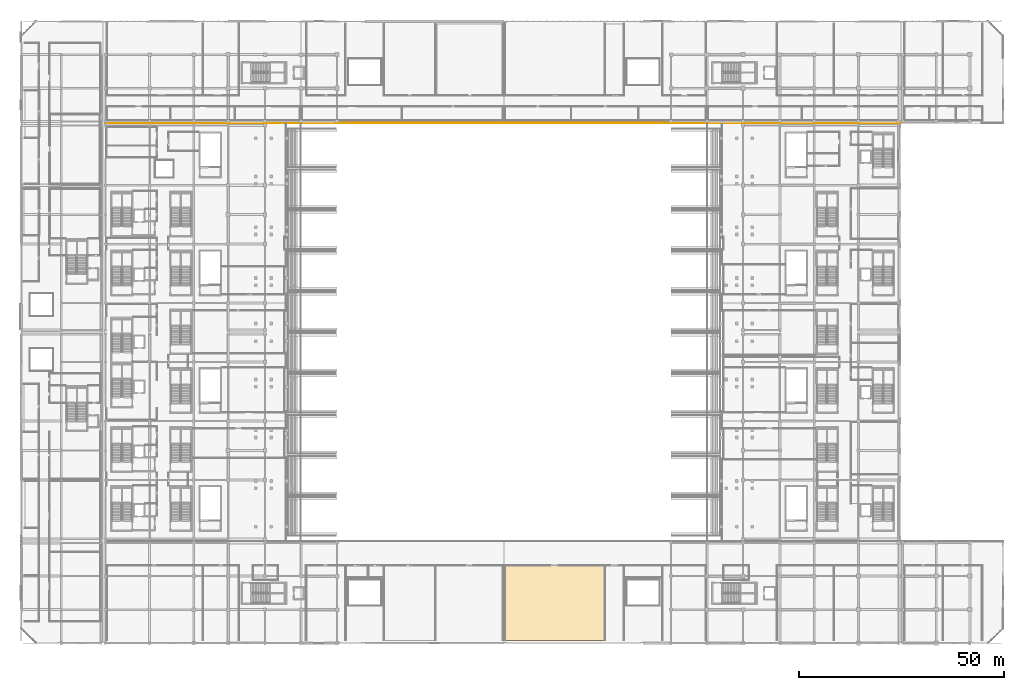
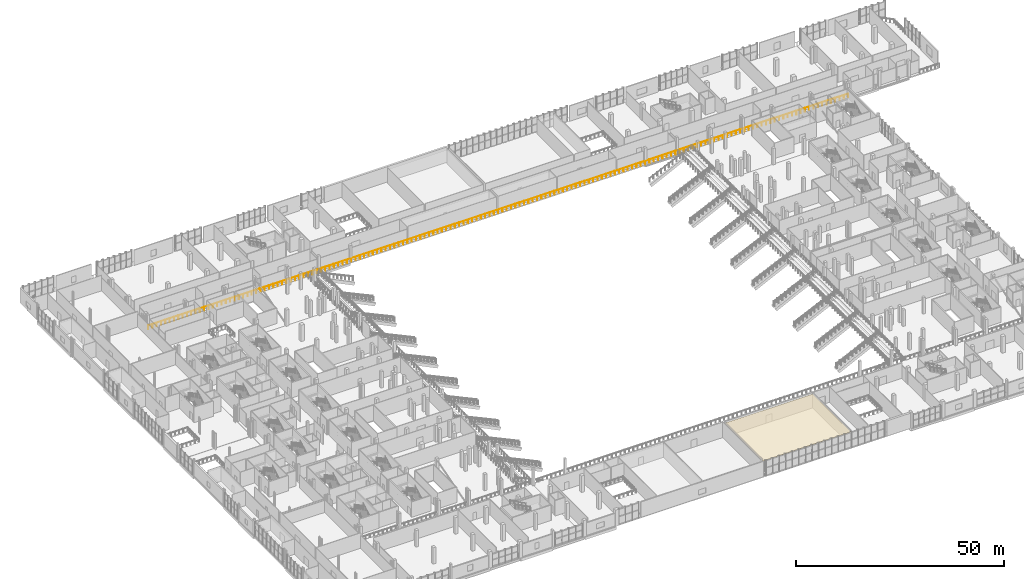
# One storey, part 111 of 129: 1 covering, 1 railing.
"""IFC4 building model written with IfcOpenShell, lengths in metres."""

from ifc_helpers import new_model, si_unit, direction, frame, origin, origin_2d, place, context, subcontext, project, spatial, polyline, circle, outline, extrude, material, layer, layer_set, type_object, element, save


model = new_model("IFC4")

# Units and contexts
model_context = context("Model", 3, precision=1e-05, world=origin(), true_north=direction((0.0, 1.0)))
body_context = subcontext(model_context, "Body", "Model", "MODEL_VIEW")
ifc_project = project(units=[si_unit("LENGTHUNIT", "METRE"), si_unit("AREAUNIT", "SQUARE_METRE"), si_unit("VOLUMEUNIT", "CUBIC_METRE"), si_unit("PLANEANGLEUNIT", "RADIAN"), si_unit("MASSUNIT", "GRAM", prefix="KILO")], contexts=[model_context])

# Site, building, storey
site_placement = place(None, origin())
site = spatial("IfcSite", under=ifc_project, at=site_placement, CompositionType="ELEMENT")
building_placement = place(site_placement, origin())
building = spatial("IfcBuilding", under=site, at=building_placement, Name="Koshinbarg Plaza Stadium", CompositionType="ELEMENT")
storey_placement = place(building_placement, frame((0.0, 0.0, 5.39990234375)))
storey = spatial("IfcBuildingStorey", under=building, at=storey_placement, Name="L01", CompositionType="ELEMENT", Elevation=5.39990234375)

# Covering
ifc_material_1 = material(Name="Perforated gypsum acoustic ceiling board")
ifc_layer = layer(ifc_material_1, 0.030029296875)
ifc_layer_set = layer_set([ifc_layer], Name="Perforated gypsum acoustic ceiling board")
covering_type = type_object("IfcCoveringType", Name="COV-CEIL-01", PredefinedType="CEILING", material=ifc_layer_set)
covering_placement = place(storey_placement, frame((0.0, 0.0, 3.9501953125)))
element("IfcCovering", 1, at=covering_placement, inside=storey, type_object=covering_type, Name="L01 Television Interview Studio acoustic ceiling 015", PredefinedType="CEILING", context=body_context, shape_type="SweptSolid", body=[
    extrude(outline(polyline([(122.27001953125, 0.699951171875), (146.64990234375, 0.699951171875), (146.64990234375, 19.0), (122.27001953125, 19.0), (122.27001953125, 0.699951171875)])), origin(), (0.0, 0.0, 1.0), 0.02978515625),
])

# Railing
ifc_material_2 = material(Name="Toughened laminated glass and stainless steel sightline balustrade", Category="steel")
railing_type = type_object("IfcRailingType", Name="RL-BOWL-1100", PredefinedType="BALUSTRADE", material=ifc_material_2)
railing_placement = place(storey_placement, frame((25.0, 127.1201171875, 0.0)))
element("IfcRailing", 2, at=railing_placement, inside=storey, type_object=railing_type, Name="L01 bowl concourse sightline balustrade 0018", PredefinedType="BALUSTRADE", context=body_context, shape_type="SweptSolid", body=[
    extrude(circle(Radius=0.02392578125, at=origin_2d()), frame((0.0, 0.0, 1.076171875), z_axis=(1.0, 0.0, 0.0), x_axis=(0.0, 1.0, 0.0)), (0.0, 0.0, 1.0), 193.89990234375),
    extrude(circle(Radius=0.02099609375, at=origin_2d()), origin(), (0.0, 0.0, 1.0), 1.052001953125),
    extrude(circle(Radius=0.02099609375, at=origin_2d()), frame((1.197021484375, 0.0, 0.0)), (0.0, 0.0, 1.0), 1.052001953125),
    extrude(circle(Radius=0.02099609375, at=origin_2d()), frame((2.393798828125, 0.0, 0.0)), (0.0, 0.0, 1.0), 1.052001953125),
    extrude(circle(Radius=0.02099609375, at=origin_2d()), frame((3.5908203125, 0.0, 0.0)), (0.0, 0.0, 1.0), 1.052001953125),
    extrude(circle(Radius=0.02099609375, at=origin_2d()), frame((4.78759765625, 0.0, 0.0)), (0.0, 0.0, 1.0), 1.052001953125),
    extrude(circle(Radius=0.02099609375, at=origin_2d()), frame((5.984619140625, 0.0, 0.0)), (0.0, 0.0, 1.0), 1.052001953125),
    extrude(circle(Radius=0.02099609375, at=origin_2d()), frame((7.181396484375, 0.0, 0.0)), (0.0, 0.0, 1.0), 1.052001953125),
    extrude(circle(Radius=0.02099609375, at=origin_2d()), frame((8.37841796875, 0.0, 0.0)), (0.0, 0.0, 1.0), 1.052001953125),
    extrude(circle(Radius=0.02099609375, at=origin_2d()), frame((9.5751953125, 0.0, 0.0)), (0.0, 0.0, 1.0), 1.052001953125),
    extrude(circle(Radius=0.02099609375, at=origin_2d()), frame((10.772216796875, 0.0, 0.0)), (0.0, 0.0, 1.0), 1.052001953125),
    extrude(circle(Radius=0.02099609375, at=origin_2d()), frame((11.96923828125, 0.0, 0.0)), (0.0, 0.0, 1.0), 1.052001953125),
    extrude(circle(Radius=0.02099609375, at=origin_2d()), frame((13.166015625, 0.0, 0.0)), (0.0, 0.0, 1.0), 1.052001953125),
    extrude(circle(Radius=0.02099609375, at=origin_2d()), frame((14.363037109375, 0.0, 0.0)), (0.0, 0.0, 1.0), 1.052001953125),
    extrude(circle(Radius=0.02099609375, at=origin_2d()), frame((15.559814453125, 0.0, 0.0)), (0.0, 0.0, 1.0), 1.052001953125),
    extrude(circle(Radius=0.02099609375, at=origin_2d()), frame((16.7568359375, 0.0, 0.0)), (0.0, 0.0, 1.0), 1.052001953125),
    extrude(circle(Radius=0.02099609375, at=origin_2d()), frame((17.95361328125, 0.0, 0.0)), (0.0, 0.0, 1.0), 1.052001953125),
    extrude(circle(Radius=0.02099609375, at=origin_2d()), frame((19.150634765625, 0.0, 0.0)), (0.0, 0.0, 1.0), 1.052001953125),
    extrude(circle(Radius=0.02099609375, at=origin_2d()), frame((20.347412109375, 0.0, 0.0)), (0.0, 0.0, 1.0), 1.052001953125),
    extrude(circle(Radius=0.02099609375, at=origin_2d()), frame((21.54443359375, 0.0, 0.0)), (0.0, 0.0, 1.0), 1.052001953125),
    extrude(circle(Radius=0.02099609375, at=origin_2d()), frame((22.741455078125, 0.0, 0.0)), (0.0, 0.0, 1.0), 1.052001953125),
    extrude(circle(Radius=0.02099609375, at=origin_2d()), frame((23.938232421875, 0.0, 0.0)), (0.0, 0.0, 1.0), 1.052001953125),
    extrude(circle(Radius=0.02099609375, at=origin_2d()), frame((25.13525390625, 0.0, 0.0)), (0.0, 0.0, 1.0), 1.052001953125),
    extrude(circle(Radius=0.02099609375, at=origin_2d()), frame((26.33203125, 0.0, 0.0)), (0.0, 0.0, 1.0), 1.052001953125),
    extrude(circle(Radius=0.02099609375, at=origin_2d()), frame((27.529052734375, 0.0, 0.0)), (0.0, 0.0, 1.0), 1.052001953125),
    extrude(circle(Radius=0.02099609375, at=origin_2d()), frame((28.725830078125, 0.0, 0.0)), (0.0, 0.0, 1.0), 1.052001953125),
    extrude(circle(Radius=0.02099609375, at=origin_2d()), frame((29.9228515625, 0.0, 0.0)), (0.0, 0.0, 1.0), 1.052001953125),
    extrude(circle(Radius=0.02099609375, at=origin_2d()), frame((31.11962890625, 0.0, 0.0)), (0.0, 0.0, 1.0), 1.052001953125),
    extrude(circle(Radius=0.02099609375, at=origin_2d()), frame((32.316650390625, 0.0, 0.0)), (0.0, 0.0, 1.0), 1.052001953125),
    extrude(circle(Radius=0.02099609375, at=origin_2d()), frame((33.513671875, 0.0, 0.0)), (0.0, 0.0, 1.0), 1.052001953125),
    extrude(circle(Radius=0.02099609375, at=origin_2d()), frame((34.71044921875, 0.0, 0.0)), (0.0, 0.0, 1.0), 1.052001953125),
    extrude(circle(Radius=0.02099609375, at=origin_2d()), frame((35.907470703125, 0.0, 0.0)), (0.0, 0.0, 1.0), 1.052001953125),
    extrude(circle(Radius=0.02099609375, at=origin_2d()), frame((37.104248046875, 0.0, 0.0)), (0.0, 0.0, 1.0), 1.052001953125),
    extrude(circle(Radius=0.02099609375, at=origin_2d()), frame((38.30126953125, 0.0, 0.0)), (0.0, 0.0, 1.0), 1.052001953125),
    extrude(circle(Radius=0.02099609375, at=origin_2d()), frame((39.498046875, 0.0, 0.0)), (0.0, 0.0, 1.0), 1.052001953125),
    extrude(circle(Radius=0.02099609375, at=origin_2d()), frame((40.695068359375, 0.0, 0.0)), (0.0, 0.0, 1.0), 1.052001953125),
    extrude(circle(Radius=0.02099609375, at=origin_2d()), frame((41.891845703125, 0.0, 0.0)), (0.0, 0.0, 1.0), 1.052001953125),
    extrude(circle(Radius=0.02099609375, at=origin_2d()), frame((43.0888671875, 0.0, 0.0)), (0.0, 0.0, 1.0), 1.052001953125),
    extrude(circle(Radius=0.02099609375, at=origin_2d()), frame((44.285888671875, 0.0, 0.0)), (0.0, 0.0, 1.0), 1.052001953125),
    extrude(circle(Radius=0.02099609375, at=origin_2d()), frame((45.482666015625, 0.0, 0.0)), (0.0, 0.0, 1.0), 1.052001953125),
    extrude(circle(Radius=0.02099609375, at=origin_2d()), frame((46.6796875, 0.0, 0.0)), (0.0, 0.0, 1.0), 1.052001953125),
    extrude(circle(Radius=0.02099609375, at=origin_2d()), frame((47.87646484375, 0.0, 0.0)), (0.0, 0.0, 1.0), 1.052001953125),
    extrude(circle(Radius=0.02099609375, at=origin_2d()), frame((49.073486328125, 0.0, 0.0)), (0.0, 0.0, 1.0), 1.052001953125),
    extrude(circle(Radius=0.02099609375, at=origin_2d()), frame((50.270263671875, 0.0, 0.0)), (0.0, 0.0, 1.0), 1.052001953125),
    extrude(circle(Radius=0.02099609375, at=origin_2d()), frame((51.46728515625, 0.0, 0.0)), (0.0, 0.0, 1.0), 1.052001953125),
    extrude(circle(Radius=0.02099609375, at=origin_2d()), frame((52.6640625, 0.0, 0.0)), (0.0, 0.0, 1.0), 1.052001953125),
    extrude(circle(Radius=0.02099609375, at=origin_2d()), frame((53.861083984375, 0.0, 0.0)), (0.0, 0.0, 1.0), 1.052001953125),
    extrude(circle(Radius=0.02099609375, at=origin_2d()), frame((55.05810546875, 0.0, 0.0)), (0.0, 0.0, 1.0), 1.052001953125),
    extrude(circle(Radius=0.02099609375, at=origin_2d()), frame((56.2548828125, 0.0, 0.0)), (0.0, 0.0, 1.0), 1.052001953125),
    extrude(circle(Radius=0.02099609375, at=origin_2d()), frame((57.451904296875, 0.0, 0.0)), (0.0, 0.0, 1.0), 1.052001953125),
    extrude(circle(Radius=0.02099609375, at=origin_2d()), frame((58.648681640625, 0.0, 0.0)), (0.0, 0.0, 1.0), 1.052001953125),
    extrude(circle(Radius=0.02099609375, at=origin_2d()), frame((59.845703125, 0.0, 0.0)), (0.0, 0.0, 1.0), 1.052001953125),
    extrude(circle(Radius=0.02099609375, at=origin_2d()), frame((61.04248046875, 0.0, 0.0)), (0.0, 0.0, 1.0), 1.052001953125),
    extrude(circle(Radius=0.02099609375, at=origin_2d()), frame((62.239501953125, 0.0, 0.0)), (0.0, 0.0, 1.0), 1.052001953125),
    extrude(circle(Radius=0.02099609375, at=origin_2d()), frame((63.436279296875, 0.0, 0.0)), (0.0, 0.0, 1.0), 1.052001953125),
    extrude(circle(Radius=0.02099609375, at=origin_2d()), frame((64.63330078125, 0.0, 0.0)), (0.0, 0.0, 1.0), 1.052001953125),
    extrude(circle(Radius=0.02099609375, at=origin_2d()), frame((65.830322265625, 0.0, 0.0)), (0.0, 0.0, 1.0), 1.052001953125),
    extrude(circle(Radius=0.02099609375, at=origin_2d()), frame((67.027099609375, 0.0, 0.0)), (0.0, 0.0, 1.0), 1.052001953125),
    extrude(circle(Radius=0.02099609375, at=origin_2d()), frame((68.22412109375, 0.0, 0.0)), (0.0, 0.0, 1.0), 1.052001953125),
    extrude(circle(Radius=0.02099609375, at=origin_2d()), frame((69.4208984375, 0.0, 0.0)), (0.0, 0.0, 1.0), 1.052001953125),
    extrude(circle(Radius=0.02099609375, at=origin_2d()), frame((70.617919921875, 0.0, 0.0)), (0.0, 0.0, 1.0), 1.052001953125),
    extrude(circle(Radius=0.02099609375, at=origin_2d()), frame((71.814697265625, 0.0, 0.0)), (0.0, 0.0, 1.0), 1.052001953125),
    extrude(circle(Radius=0.02099609375, at=origin_2d()), frame((73.01171875, 0.0, 0.0)), (0.0, 0.0, 1.0), 1.052001953125),
    extrude(circle(Radius=0.02099609375, at=origin_2d()), frame((74.20849609375, 0.0, 0.0)), (0.0, 0.0, 1.0), 1.052001953125),
    extrude(circle(Radius=0.02099609375, at=origin_2d()), frame((75.405517578125, 0.0, 0.0)), (0.0, 0.0, 1.0), 1.052001953125),
    extrude(circle(Radius=0.02099609375, at=origin_2d()), frame((76.6025390625, 0.0, 0.0)), (0.0, 0.0, 1.0), 1.052001953125),
    extrude(circle(Radius=0.02099609375, at=origin_2d()), frame((77.79931640625, 0.0, 0.0)), (0.0, 0.0, 1.0), 1.052001953125),
    extrude(circle(Radius=0.02099609375, at=origin_2d()), frame((78.996337890625, 0.0, 0.0)), (0.0, 0.0, 1.0), 1.052001953125),
    extrude(circle(Radius=0.02099609375, at=origin_2d()), frame((80.193115234375, 0.0, 0.0)), (0.0, 0.0, 1.0), 1.052001953125),
    extrude(circle(Radius=0.02099609375, at=origin_2d()), frame((81.39013671875, 0.0, 0.0)), (0.0, 0.0, 1.0), 1.052001953125),
    extrude(circle(Radius=0.02099609375, at=origin_2d()), frame((82.5869140625, 0.0, 0.0)), (0.0, 0.0, 1.0), 1.052001953125),
    extrude(circle(Radius=0.02099609375, at=origin_2d()), frame((83.783935546875, 0.0, 0.0)), (0.0, 0.0, 1.0), 1.052001953125),
    extrude(circle(Radius=0.02099609375, at=origin_2d()), frame((84.980712890625, 0.0, 0.0)), (0.0, 0.0, 1.0), 1.052001953125),
    extrude(circle(Radius=0.02099609375, at=origin_2d()), frame((86.177734375, 0.0, 0.0)), (0.0, 0.0, 1.0), 1.052001953125),
    extrude(circle(Radius=0.02099609375, at=origin_2d()), frame((87.374755859375, 0.0, 0.0)), (0.0, 0.0, 1.0), 1.052001953125),
    extrude(circle(Radius=0.02099609375, at=origin_2d()), frame((88.571533203125, 0.0, 0.0)), (0.0, 0.0, 1.0), 1.052001953125),
    extrude(circle(Radius=0.02099609375, at=origin_2d()), frame((89.7685546875, 0.0, 0.0)), (0.0, 0.0, 1.0), 1.052001953125),
    extrude(circle(Radius=0.02099609375, at=origin_2d()), frame((90.96533203125, 0.0, 0.0)), (0.0, 0.0, 1.0), 1.052001953125),
    extrude(circle(Radius=0.02099609375, at=origin_2d()), frame((92.162353515625, 0.0, 0.0)), (0.0, 0.0, 1.0), 1.052001953125),
    extrude(circle(Radius=0.02099609375, at=origin_2d()), frame((93.359130859375, 0.0, 0.0)), (0.0, 0.0, 1.0), 1.052001953125),
    extrude(circle(Radius=0.02099609375, at=origin_2d()), frame((94.55615234375, 0.0, 0.0)), (0.0, 0.0, 1.0), 1.052001953125),
    extrude(circle(Radius=0.02099609375, at=origin_2d()), frame((95.7529296875, 0.0, 0.0)), (0.0, 0.0, 1.0), 1.052001953125),
    extrude(circle(Radius=0.02099609375, at=origin_2d()), frame((96.949951171875, 0.0, 0.0)), (0.0, 0.0, 1.0), 1.052001953125),
    extrude(circle(Radius=0.02099609375, at=origin_2d()), frame((98.14697265625, 0.0, 0.0)), (0.0, 0.0, 1.0), 1.052001953125),
    extrude(circle(Radius=0.02099609375, at=origin_2d()), frame((99.34375, 0.0, 0.0)), (0.0, 0.0, 1.0), 1.052001953125),
    extrude(circle(Radius=0.02099609375, at=origin_2d()), frame((100.540771484375, 0.0, 0.0)), (0.0, 0.0, 1.0), 1.052001953125),
    extrude(circle(Radius=0.02099609375, at=origin_2d()), frame((101.737548828125, 0.0, 0.0)), (0.0, 0.0, 1.0), 1.052001953125),
    extrude(circle(Radius=0.02099609375, at=origin_2d()), frame((102.9345703125, 0.0, 0.0)), (0.0, 0.0, 1.0), 1.052001953125),
    extrude(circle(Radius=0.02099609375, at=origin_2d()), frame((104.13134765625, 0.0, 0.0)), (0.0, 0.0, 1.0), 1.052001953125),
    extrude(circle(Radius=0.02099609375, at=origin_2d()), frame((105.328369140625, 0.0, 0.0)), (0.0, 0.0, 1.0), 1.052001953125),
    extrude(circle(Radius=0.02099609375, at=origin_2d()), frame((106.525146484375, 0.0, 0.0)), (0.0, 0.0, 1.0), 1.052001953125),
    extrude(circle(Radius=0.02099609375, at=origin_2d()), frame((107.72216796875, 0.0, 0.0)), (0.0, 0.0, 1.0), 1.052001953125),
    extrude(circle(Radius=0.02099609375, at=origin_2d()), frame((108.919189453125, 0.0, 0.0)), (0.0, 0.0, 1.0), 1.052001953125),
    extrude(circle(Radius=0.02099609375, at=origin_2d()), frame((110.115966796875, 0.0, 0.0)), (0.0, 0.0, 1.0), 1.052001953125),
    extrude(circle(Radius=0.02099609375, at=origin_2d()), frame((111.31298828125, 0.0, 0.0)), (0.0, 0.0, 1.0), 1.052001953125),
    extrude(circle(Radius=0.02099609375, at=origin_2d()), frame((112.509765625, 0.0, 0.0)), (0.0, 0.0, 1.0), 1.052001953125),
    extrude(circle(Radius=0.02099609375, at=origin_2d()), frame((113.706787109375, 0.0, 0.0)), (0.0, 0.0, 1.0), 1.052001953125),
    extrude(circle(Radius=0.02099609375, at=origin_2d()), frame((114.903564453125, 0.0, 0.0)), (0.0, 0.0, 1.0), 1.052001953125),
    extrude(circle(Radius=0.02099609375, at=origin_2d()), frame((116.1005859375, 0.0, 0.0)), (0.0, 0.0, 1.0), 1.052001953125),
    extrude(circle(Radius=0.02099609375, at=origin_2d()), frame((117.29736328125, 0.0, 0.0)), (0.0, 0.0, 1.0), 1.052001953125),
    extrude(circle(Radius=0.02099609375, at=origin_2d()), frame((118.494384765625, 0.0, 0.0)), (0.0, 0.0, 1.0), 1.052001953125),
    extrude(circle(Radius=0.02099609375, at=origin_2d()), frame((119.69140625, 0.0, 0.0)), (0.0, 0.0, 1.0), 1.052001953125),
    extrude(circle(Radius=0.02099609375, at=origin_2d()), frame((120.88818359375, 0.0, 0.0)), (0.0, 0.0, 1.0), 1.052001953125),
    extrude(circle(Radius=0.02099609375, at=origin_2d()), frame((122.085205078125, 0.0, 0.0)), (0.0, 0.0, 1.0), 1.052001953125),
    extrude(circle(Radius=0.02099609375, at=origin_2d()), frame((123.281982421875, 0.0, 0.0)), (0.0, 0.0, 1.0), 1.052001953125),
    extrude(circle(Radius=0.02099609375, at=origin_2d()), frame((124.47900390625, 0.0, 0.0)), (0.0, 0.0, 1.0), 1.052001953125),
    extrude(circle(Radius=0.02099609375, at=origin_2d()), frame((125.67578125, 0.0, 0.0)), (0.0, 0.0, 1.0), 1.052001953125),
    extrude(circle(Radius=0.02099609375, at=origin_2d()), frame((126.872802734375, 0.0, 0.0)), (0.0, 0.0, 1.0), 1.052001953125),
    extrude(circle(Radius=0.02099609375, at=origin_2d()), frame((128.069580078125, 0.0, 0.0)), (0.0, 0.0, 1.0), 1.052001953125),
    extrude(circle(Radius=0.02099609375, at=origin_2d()), frame((129.2666015625, 0.0, 0.0)), (0.0, 0.0, 1.0), 1.052001953125),
    extrude(circle(Radius=0.02099609375, at=origin_2d()), frame((130.463623046875, 0.0, 0.0)), (0.0, 0.0, 1.0), 1.052001953125),
    extrude(circle(Radius=0.02099609375, at=origin_2d()), frame((131.660400390625, 0.0, 0.0)), (0.0, 0.0, 1.0), 1.052001953125),
    extrude(circle(Radius=0.02099609375, at=origin_2d()), frame((132.857421875, 0.0, 0.0)), (0.0, 0.0, 1.0), 1.052001953125),
    extrude(circle(Radius=0.02099609375, at=origin_2d()), frame((134.05419921875, 0.0, 0.0)), (0.0, 0.0, 1.0), 1.052001953125),
    extrude(circle(Radius=0.02099609375, at=origin_2d()), frame((135.251220703125, 0.0, 0.0)), (0.0, 0.0, 1.0), 1.052001953125),
    extrude(circle(Radius=0.02099609375, at=origin_2d()), frame((136.447998046875, 0.0, 0.0)), (0.0, 0.0, 1.0), 1.052001953125),
    extrude(circle(Radius=0.02099609375, at=origin_2d()), frame((137.64501953125, 0.0, 0.0)), (0.0, 0.0, 1.0), 1.052001953125),
    extrude(circle(Radius=0.02099609375, at=origin_2d()), frame((138.841796875, 0.0, 0.0)), (0.0, 0.0, 1.0), 1.052001953125),
    extrude(circle(Radius=0.02099609375, at=origin_2d()), frame((140.038818359375, 0.0, 0.0)), (0.0, 0.0, 1.0), 1.052001953125),
    extrude(circle(Radius=0.02099609375, at=origin_2d()), frame((141.23583984375, 0.0, 0.0)), (0.0, 0.0, 1.0), 1.052001953125),
    extrude(circle(Radius=0.02099609375, at=origin_2d()), frame((142.4326171875, 0.0, 0.0)), (0.0, 0.0, 1.0), 1.052001953125),
    extrude(circle(Radius=0.02099609375, at=origin_2d()), frame((143.629638671875, 0.0, 0.0)), (0.0, 0.0, 1.0), 1.052001953125),
    extrude(circle(Radius=0.02099609375, at=origin_2d()), frame((144.826416015625, 0.0, 0.0)), (0.0, 0.0, 1.0), 1.052001953125),
    extrude(circle(Radius=0.02099609375, at=origin_2d()), frame((146.0234375, 0.0, 0.0)), (0.0, 0.0, 1.0), 1.052001953125),
    extrude(circle(Radius=0.02099609375, at=origin_2d()), frame((147.22021484375, 0.0, 0.0)), (0.0, 0.0, 1.0), 1.052001953125),
    extrude(circle(Radius=0.02099609375, at=origin_2d()), frame((148.417236328125, 0.0, 0.0)), (0.0, 0.0, 1.0), 1.052001953125),
    extrude(circle(Radius=0.02099609375, at=origin_2d()), frame((149.614013671875, 0.0, 0.0)), (0.0, 0.0, 1.0), 1.052001953125),
    extrude(circle(Radius=0.02099609375, at=origin_2d()), frame((150.81103515625, 0.0, 0.0)), (0.0, 0.0, 1.0), 1.052001953125),
    extrude(circle(Radius=0.02099609375, at=origin_2d()), frame((152.008056640625, 0.0, 0.0)), (0.0, 0.0, 1.0), 1.052001953125),
    extrude(circle(Radius=0.02099609375, at=origin_2d()), frame((153.204833984375, 0.0, 0.0)), (0.0, 0.0, 1.0), 1.052001953125),
    extrude(circle(Radius=0.02099609375, at=origin_2d()), frame((154.40185546875, 0.0, 0.0)), (0.0, 0.0, 1.0), 1.052001953125),
    extrude(circle(Radius=0.02099609375, at=origin_2d()), frame((155.5986328125, 0.0, 0.0)), (0.0, 0.0, 1.0), 1.052001953125),
    extrude(circle(Radius=0.02099609375, at=origin_2d()), frame((156.795654296875, 0.0, 0.0)), (0.0, 0.0, 1.0), 1.052001953125),
    extrude(circle(Radius=0.02099609375, at=origin_2d()), frame((157.992431640625, 0.0, 0.0)), (0.0, 0.0, 1.0), 1.052001953125),
    extrude(circle(Radius=0.02099609375, at=origin_2d()), frame((159.189453125, 0.0, 0.0)), (0.0, 0.0, 1.0), 1.052001953125),
    extrude(circle(Radius=0.02099609375, at=origin_2d()), frame((160.38623046875, 0.0, 0.0)), (0.0, 0.0, 1.0), 1.052001953125),
    extrude(circle(Radius=0.02099609375, at=origin_2d()), frame((161.583251953125, 0.0, 0.0)), (0.0, 0.0, 1.0), 1.052001953125),
    extrude(circle(Radius=0.02099609375, at=origin_2d()), frame((162.7802734375, 0.0, 0.0)), (0.0, 0.0, 1.0), 1.052001953125),
    extrude(circle(Radius=0.02099609375, at=origin_2d()), frame((163.97705078125, 0.0, 0.0)), (0.0, 0.0, 1.0), 1.052001953125),
    extrude(circle(Radius=0.02099609375, at=origin_2d()), frame((165.174072265625, 0.0, 0.0)), (0.0, 0.0, 1.0), 1.052001953125),
    extrude(circle(Radius=0.02099609375, at=origin_2d()), frame((166.370849609375, 0.0, 0.0)), (0.0, 0.0, 1.0), 1.052001953125),
    extrude(circle(Radius=0.02099609375, at=origin_2d()), frame((167.56787109375, 0.0, 0.0)), (0.0, 0.0, 1.0), 1.052001953125),
    extrude(circle(Radius=0.02099609375, at=origin_2d()), frame((168.7646484375, 0.0, 0.0)), (0.0, 0.0, 1.0), 1.052001953125),
    extrude(circle(Radius=0.02099609375, at=origin_2d()), frame((169.961669921875, 0.0, 0.0)), (0.0, 0.0, 1.0), 1.052001953125),
    extrude(circle(Radius=0.02099609375, at=origin_2d()), frame((171.158447265625, 0.0, 0.0)), (0.0, 0.0, 1.0), 1.052001953125),
    extrude(circle(Radius=0.02099609375, at=origin_2d()), frame((172.35546875, 0.0, 0.0)), (0.0, 0.0, 1.0), 1.052001953125),
    extrude(circle(Radius=0.02099609375, at=origin_2d()), frame((173.552490234375, 0.0, 0.0)), (0.0, 0.0, 1.0), 1.052001953125),
    extrude(circle(Radius=0.02099609375, at=origin_2d()), frame((174.749267578125, 0.0, 0.0)), (0.0, 0.0, 1.0), 1.052001953125),
    extrude(circle(Radius=0.02099609375, at=origin_2d()), frame((175.9462890625, 0.0, 0.0)), (0.0, 0.0, 1.0), 1.052001953125),
    extrude(circle(Radius=0.02099609375, at=origin_2d()), frame((177.14306640625, 0.0, 0.0)), (0.0, 0.0, 1.0), 1.052001953125),
    extrude(circle(Radius=0.02099609375, at=origin_2d()), frame((178.340087890625, 0.0, 0.0)), (0.0, 0.0, 1.0), 1.052001953125),
    extrude(circle(Radius=0.02099609375, at=origin_2d()), frame((179.536865234375, 0.0, 0.0)), (0.0, 0.0, 1.0), 1.052001953125),
    extrude(circle(Radius=0.02099609375, at=origin_2d()), frame((180.73388671875, 0.0, 0.0)), (0.0, 0.0, 1.0), 1.052001953125),
    extrude(circle(Radius=0.02099609375, at=origin_2d()), frame((181.9306640625, 0.0, 0.0)), (0.0, 0.0, 1.0), 1.052001953125),
    extrude(circle(Radius=0.02099609375, at=origin_2d()), frame((183.127685546875, 0.0, 0.0)), (0.0, 0.0, 1.0), 1.052001953125),
    extrude(circle(Radius=0.02099609375, at=origin_2d()), frame((184.32470703125, 0.0, 0.0)), (0.0, 0.0, 1.0), 1.052001953125),
    extrude(circle(Radius=0.02099609375, at=origin_2d()), frame((185.521484375, 0.0, 0.0)), (0.0, 0.0, 1.0), 1.052001953125),
    extrude(circle(Radius=0.02099609375, at=origin_2d()), frame((186.718505859375, 0.0, 0.0)), (0.0, 0.0, 1.0), 1.052001953125),
    extrude(circle(Radius=0.02099609375, at=origin_2d()), frame((187.915283203125, 0.0, 0.0)), (0.0, 0.0, 1.0), 1.052001953125),
    extrude(circle(Radius=0.02099609375, at=origin_2d()), frame((189.1123046875, 0.0, 0.0)), (0.0, 0.0, 1.0), 1.052001953125),
    extrude(circle(Radius=0.02099609375, at=origin_2d()), frame((190.30908203125, 0.0, 0.0)), (0.0, 0.0, 1.0), 1.052001953125),
    extrude(circle(Radius=0.02099609375, at=origin_2d()), frame((191.506103515625, 0.0, 0.0)), (0.0, 0.0, 1.0), 1.052001953125),
    extrude(circle(Radius=0.02099609375, at=origin_2d()), frame((192.702880859375, 0.0, 0.0)), (0.0, 0.0, 1.0), 1.052001953125),
    extrude(circle(Radius=0.02099609375, at=origin_2d()), frame((193.89990234375, 0.0, 0.0)), (0.0, 0.0, 1.0), 1.052001953125),
])

save(model, "model.ifc")
